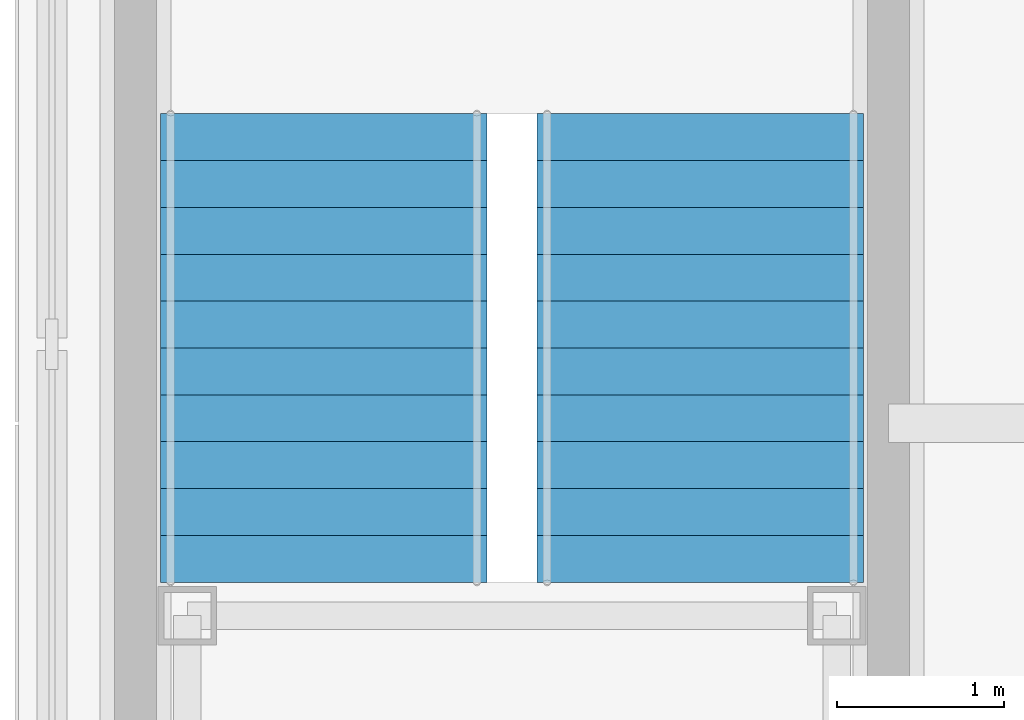
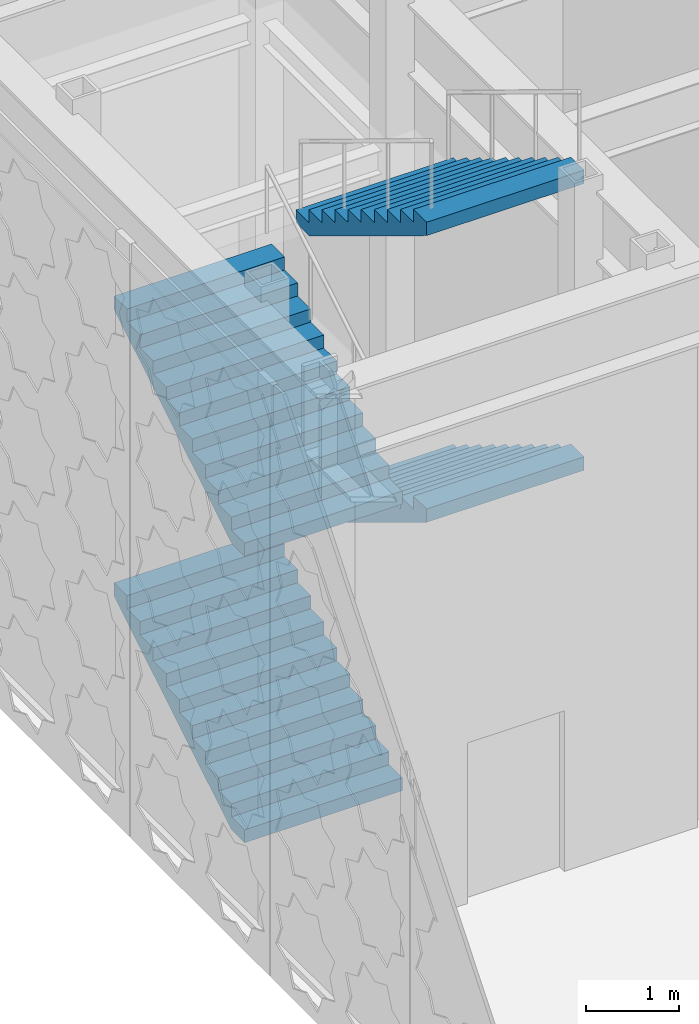
# One storey, part 21 of 34: 4 stair flights, 1 element without a shape of its own.
"""IFC4 building model written with IfcOpenShell, lengths in metres."""

from ifc_helpers import new_model, si_unit, direction, frame, origin, place, context, subcontext, project, spatial, faceted_brep, material, type_object, element, aggregate, save


model = new_model("IFC4")

# Units and contexts
model_context = context("Model", 3, precision=1e-05, world=origin(), true_north=direction((0.0, 1.0)))
body_context = subcontext(model_context, "Body", "Model", "MODEL_VIEW")
ifc_project = project(units=[si_unit("LENGTHUNIT", "METRE"), si_unit("AREAUNIT", "SQUARE_METRE"), si_unit("VOLUMEUNIT", "CUBIC_METRE"), si_unit("PLANEANGLEUNIT", "RADIAN"), si_unit("MASSUNIT", "GRAM", prefix="KILO")], contexts=[model_context])

# Site, building, storey
site_placement = place(None, origin())
site = spatial("IfcSite", under=ifc_project, at=site_placement, CompositionType="ELEMENT")
building_placement = place(site_placement, origin())
building = spatial("IfcBuilding", under=site, at=building_placement, Name="Chuquiago Exchange Tower", CompositionType="ELEMENT")
storey_placement = place(building_placement, frame((0.0, 0.0, 6.0)))
storey = spatial("IfcBuildingStorey", under=building, at=storey_placement, Name="L01", CompositionType="ELEMENT", Elevation=6.0)

# Stair, stair flights
ifc_material_1 = material(Name="Concrete C30/37, precast", Category="concrete")
stair_type = type_object("IfcStairType", Name="PS3 double half-turn stair 7500", PredefinedType="DOUBLE_RETURN_STAIR", material=ifc_material_1)
stair_placement = place(storey_placement, origin())
stair = element("IfcStair", 1, at=stair_placement, inside=storey, type_object=stair_type, Name="Stair PS3 L01", PredefinedType="DOUBLE_RETURN_STAIR")
ifc_material_2 = material(Name="Concrete C30/37, precast", Category="concrete")
stair_flight_type = type_object("IfcStairFlightType", Name="ST-F flight 1950 for 7500 storey", PredefinedType="STRAIGHT", material=ifc_material_2)
stair_flight_1_placement = place(storey_placement, frame((-7.875, 38.050048828125, 0.0), z_axis=(0.0, 0.0, 1.0), x_axis=(0.0, 1.0, 0.0)))
stair_flight_1 = element("IfcStairFlight", 2, at=stair_flight_1_placement, type_object=stair_flight_type, Name="PS3 flight 1", NumberOfRisers=11, NumberOfTreads=10, PredefinedType="STRAIGHT", RiserHeight=0.170454545, TreadLength=0.28, context=body_context, shape_type="Brep", body=[
    faceted_brep([(0.0, 0.97509765625, 0.0), (0.0, 0.97509765625, 0.17041015625), (0.280029296875, 0.97509765625, 0.17041015625), (0.280029296875, 0.97509765625, 0.3408203125), (0.56005859375, 0.97509765625, 0.3408203125), (0.56005859375, 0.97509765625, 0.511474609375), (0.840087890625, 0.97509765625, 0.511474609375), (0.840087890625, 0.97509765625, 0.681884765625), (1.1201171875, 0.97509765625, 0.681884765625), (1.1201171875, 0.97509765625, 0.852294921875), (1.39990234375, 0.97509765625, 0.852294921875), (1.39990234375, 0.97509765625, 1.022705078125), (1.679931640625, 0.97509765625, 1.022705078125), (1.679931640625, 0.97509765625, 1.193115234375), (1.9599609375, 0.97509765625, 1.193115234375), (1.9599609375, 0.97509765625, 1.363525390625), (2.239990234375, 0.97509765625, 1.363525390625), (2.239990234375, 0.97509765625, 1.5341796875), (2.52001953125, 0.97509765625, 1.5341796875), (2.52001953125, 0.97509765625, 1.70458984375), (2.800048828125, 0.97509765625, 1.70458984375), (2.800048828125, 0.97509765625, 1.529052734375), (0.288330078125, 0.97509765625, 0.0), (0.288330078125, -0.97509765625, 0.0), (2.800048828125, -0.97509765625, 1.529052734375), (2.800048828125, -0.97509765625, 1.70458984375), (2.52001953125, -0.97509765625, 1.70458984375), (2.52001953125, -0.97509765625, 1.5341796875), (2.239990234375, -0.97509765625, 1.5341796875), (2.239990234375, -0.97509765625, 1.363525390625), (1.9599609375, -0.97509765625, 1.363525390625), (1.9599609375, -0.97509765625, 1.193115234375), (1.679931640625, -0.97509765625, 1.193115234375), (1.679931640625, -0.97509765625, 1.022705078125), (1.39990234375, -0.97509765625, 1.022705078125), (1.39990234375, -0.97509765625, 0.852294921875), (1.1201171875, -0.97509765625, 0.852294921875), (1.1201171875, -0.97509765625, 0.681884765625), (0.840087890625, -0.97509765625, 0.681884765625), (0.840087890625, -0.97509765625, 0.511474609375), (0.56005859375, -0.97509765625, 0.511474609375), (0.56005859375, -0.97509765625, 0.3408203125), (0.280029296875, -0.97509765625, 0.3408203125), (0.280029296875, -0.97509765625, 0.17041015625), (0.0, -0.97509765625, 0.17041015625), (0.0, -0.97509765625, 0.0), (0.0, 0.487548828125, 0.0), (0.0, 0.487548828125, 0.17041015625), (0.0, 0.0, 0.0), (0.0, 0.0, 0.17041015625), (0.0, -0.487548828125, 0.0), (0.0, -0.487548828125, 0.17041015625), (0.280029296875, 0.487548828125, 0.17041015625), (0.280029296875, 0.0, 0.17041015625), (0.280029296875, -0.487548828125, 0.17041015625), (0.280029296875, 0.487548828125, 0.3408203125), (0.280029296875, 0.0, 0.3408203125), (0.280029296875, -0.487548828125, 0.3408203125), (0.56005859375, 0.487548828125, 0.3408203125), (0.56005859375, 0.0, 0.3408203125), (0.56005859375, -0.487548828125, 0.3408203125), (0.56005859375, 0.487548828125, 0.511474609375), (0.56005859375, 0.0, 0.511474609375), (0.56005859375, -0.487548828125, 0.511474609375), (0.840087890625, 0.487548828125, 0.511474609375), (0.840087890625, 0.0, 0.511474609375), (0.840087890625, -0.487548828125, 0.511474609375), (0.840087890625, 0.487548828125, 0.681884765625), (0.840087890625, 0.0, 0.681884765625), (0.840087890625, -0.487548828125, 0.681884765625), (1.1201171875, 0.487548828125, 0.681884765625), (1.1201171875, 0.0, 0.681884765625), (1.1201171875, -0.487548828125, 0.681884765625), (1.1201171875, 0.487548828125, 0.852294921875), (1.1201171875, 0.0, 0.852294921875), (1.1201171875, -0.487548828125, 0.852294921875), (1.39990234375, 0.487548828125, 0.852294921875), (1.39990234375, 0.0, 0.852294921875), (1.39990234375, -0.487548828125, 0.852294921875), (1.39990234375, 0.487548828125, 1.022705078125), (1.39990234375, 0.0, 1.022705078125), (1.39990234375, -0.487548828125, 1.022705078125), (1.679931640625, 0.487548828125, 1.022705078125), (1.679931640625, 0.0, 1.022705078125), (1.679931640625, -0.487548828125, 1.022705078125), (1.679931640625, 0.487548828125, 1.193115234375), (1.679931640625, 0.0, 1.193115234375), (1.679931640625, -0.487548828125, 1.193115234375), (1.9599609375, 0.487548828125, 1.193115234375), (1.9599609375, 0.0, 1.193115234375), (1.9599609375, -0.487548828125, 1.193115234375), (1.9599609375, 0.487548828125, 1.363525390625), (1.9599609375, 0.0, 1.363525390625), (1.9599609375, -0.487548828125, 1.363525390625), (2.239990234375, 0.487548828125, 1.363525390625), (2.239990234375, 0.0, 1.363525390625), (2.239990234375, -0.487548828125, 1.363525390625), (2.239990234375, 0.487548828125, 1.5341796875), (2.239990234375, 0.0, 1.5341796875), (2.239990234375, -0.487548828125, 1.5341796875), (2.52001953125, 0.487548828125, 1.5341796875), (2.52001953125, 0.0, 1.5341796875), (2.52001953125, -0.487548828125, 1.5341796875), (2.52001953125, 0.487548828125, 1.70458984375), (2.52001953125, 0.0, 1.70458984375), (2.52001953125, -0.487548828125, 1.70458984375), (2.800048828125, 0.487548828125, 1.70458984375), (2.800048828125, 0.0, 1.70458984375), (2.800048828125, -0.487548828125, 1.70458984375), (2.800048828125, 0.487548828125, 1.529052734375), (2.800048828125, 0.0, 1.529052734375), (2.800048828125, -0.487548828125, 1.529052734375), (0.288330078125, 0.487548828125, 0.0), (0.288330078125, 0.0, 0.0), (0.288330078125, -0.487548828125, 0.0)], [[[0, 1, 2, 3, 4, 5, 6, 7, 8, 9, 10, 11, 12, 13, 14, 15, 16, 17, 18, 19, 20, 21, 22]], [[23, 24, 25, 26, 27, 28, 29, 30, 31, 32, 33, 34, 35, 36, 37, 38, 39, 40, 41, 42, 43, 44, 45]], [[1, 0, 46, 47]], [[47, 46, 48, 49]], [[49, 48, 50, 51]], [[51, 50, 45, 44]], [[2, 1, 47, 52]], [[52, 47, 49, 53]], [[53, 49, 51, 54]], [[54, 51, 44, 43]], [[3, 2, 52, 55]], [[55, 52, 53, 56]], [[56, 53, 54, 57]], [[57, 54, 43, 42]], [[4, 3, 55, 58]], [[58, 55, 56, 59]], [[59, 56, 57, 60]], [[60, 57, 42, 41]], [[5, 4, 58, 61]], [[61, 58, 59, 62]], [[62, 59, 60, 63]], [[63, 60, 41, 40]], [[6, 5, 61, 64]], [[64, 61, 62, 65]], [[65, 62, 63, 66]], [[66, 63, 40, 39]], [[7, 6, 64, 67]], [[67, 64, 65, 68]], [[68, 65, 66, 69]], [[69, 66, 39, 38]], [[8, 7, 67, 70]], [[70, 67, 68, 71]], [[71, 68, 69, 72]], [[72, 69, 38, 37]], [[9, 8, 70, 73]], [[73, 70, 71, 74]], [[74, 71, 72, 75]], [[75, 72, 37, 36]], [[10, 9, 73, 76]], [[76, 73, 74, 77]], [[77, 74, 75, 78]], [[78, 75, 36, 35]], [[11, 10, 76, 79]], [[79, 76, 77, 80]], [[80, 77, 78, 81]], [[81, 78, 35, 34]], [[12, 11, 79, 82]], [[82, 79, 80, 83]], [[83, 80, 81, 84]], [[84, 81, 34, 33]], [[13, 12, 82, 85]], [[85, 82, 83, 86]], [[86, 83, 84, 87]], [[87, 84, 33, 32]], [[14, 13, 85, 88]], [[88, 85, 86, 89]], [[89, 86, 87, 90]], [[90, 87, 32, 31]], [[15, 14, 88, 91]], [[91, 88, 89, 92]], [[92, 89, 90, 93]], [[93, 90, 31, 30]], [[16, 15, 91, 94]], [[94, 91, 92, 95]], [[95, 92, 93, 96]], [[96, 93, 30, 29]], [[17, 16, 94, 97]], [[97, 94, 95, 98]], [[98, 95, 96, 99]], [[99, 96, 29, 28]], [[18, 17, 97, 100]], [[100, 97, 98, 101]], [[101, 98, 99, 102]], [[102, 99, 28, 27]], [[19, 18, 100, 103]], [[103, 100, 101, 104]], [[104, 101, 102, 105]], [[105, 102, 27, 26]], [[20, 19, 103, 106]], [[106, 103, 104, 107]], [[107, 104, 105, 108]], [[108, 105, 26, 25]], [[21, 20, 106, 109]], [[109, 106, 107, 110]], [[110, 107, 108, 111]], [[111, 108, 25, 24]], [[22, 21, 109, 112]], [[112, 109, 110, 113]], [[113, 110, 111, 114]], [[114, 111, 24, 23]], [[0, 22, 112, 46]], [[46, 112, 113, 48]], [[48, 113, 114, 50]], [[50, 114, 23, 45]]]),
])
stair_flight_2_placement = place(storey_placement, frame((-5.625, 40.85009765625, 1.875), z_axis=(0.0, 0.0, 1.0), x_axis=(0.0, -1.0, 0.0)))
stair_flight_2 = element("IfcStairFlight", 3, at=stair_flight_2_placement, type_object=stair_flight_type, Name="PS3 flight 2", NumberOfRisers=11, NumberOfTreads=10, PredefinedType="STRAIGHT", RiserHeight=0.170454545, TreadLength=0.28, context=body_context, shape_type="Brep", body=[
    faceted_brep([(0.0, 0.97509765625, 0.0), (0.0, 0.97509765625, 0.17041015625), (0.280029296875, 0.97509765625, 0.17041015625), (0.280029296875, 0.97509765625, 0.3408203125), (0.56005859375, 0.97509765625, 0.3408203125), (0.56005859375, 0.97509765625, 0.511474609375), (0.840087890625, 0.97509765625, 0.511474609375), (0.840087890625, 0.97509765625, 0.681884765625), (1.1201171875, 0.97509765625, 0.681884765625), (1.1201171875, 0.97509765625, 0.852294921875), (1.39990234375, 0.97509765625, 0.852294921875), (1.39990234375, 0.97509765625, 1.022705078125), (1.679931640625, 0.97509765625, 1.022705078125), (1.679931640625, 0.97509765625, 1.193115234375), (1.9599609375, 0.97509765625, 1.193115234375), (1.9599609375, 0.97509765625, 1.363525390625), (2.239990234375, 0.97509765625, 1.363525390625), (2.239990234375, 0.97509765625, 1.5341796875), (2.52001953125, 0.97509765625, 1.5341796875), (2.52001953125, 0.97509765625, 1.70458984375), (2.800048828125, 0.97509765625, 1.70458984375), (2.800048828125, 0.97509765625, 1.529052734375), (0.288330078125, 0.97509765625, 0.0), (0.288330078125, -0.97509765625, 0.0), (2.800048828125, -0.97509765625, 1.529052734375), (2.800048828125, -0.97509765625, 1.70458984375), (2.52001953125, -0.97509765625, 1.70458984375), (2.52001953125, -0.97509765625, 1.5341796875), (2.239990234375, -0.97509765625, 1.5341796875), (2.239990234375, -0.97509765625, 1.363525390625), (1.9599609375, -0.97509765625, 1.363525390625), (1.9599609375, -0.97509765625, 1.193115234375), (1.679931640625, -0.97509765625, 1.193115234375), (1.679931640625, -0.97509765625, 1.022705078125), (1.39990234375, -0.97509765625, 1.022705078125), (1.39990234375, -0.97509765625, 0.852294921875), (1.1201171875, -0.97509765625, 0.852294921875), (1.1201171875, -0.97509765625, 0.681884765625), (0.840087890625, -0.97509765625, 0.681884765625), (0.840087890625, -0.97509765625, 0.511474609375), (0.56005859375, -0.97509765625, 0.511474609375), (0.56005859375, -0.97509765625, 0.3408203125), (0.280029296875, -0.97509765625, 0.3408203125), (0.280029296875, -0.97509765625, 0.17041015625), (0.0, -0.97509765625, 0.17041015625), (0.0, -0.97509765625, 0.0), (0.0, 0.487548828125, 0.0), (0.0, 0.487548828125, 0.17041015625), (0.0, 0.0, 0.0), (0.0, 0.0, 0.17041015625), (0.0, -0.487548828125, 0.0), (0.0, -0.487548828125, 0.17041015625), (0.280029296875, 0.487548828125, 0.17041015625), (0.280029296875, 0.0, 0.17041015625), (0.280029296875, -0.487548828125, 0.17041015625), (0.280029296875, 0.487548828125, 0.3408203125), (0.280029296875, 0.0, 0.3408203125), (0.280029296875, -0.487548828125, 0.3408203125), (0.56005859375, 0.487548828125, 0.3408203125), (0.56005859375, 0.0, 0.3408203125), (0.56005859375, -0.487548828125, 0.3408203125), (0.56005859375, 0.487548828125, 0.511474609375), (0.56005859375, 0.0, 0.511474609375), (0.56005859375, -0.487548828125, 0.511474609375), (0.840087890625, 0.487548828125, 0.511474609375), (0.840087890625, 0.0, 0.511474609375), (0.840087890625, -0.487548828125, 0.511474609375), (0.840087890625, 0.487548828125, 0.681884765625), (0.840087890625, 0.0, 0.681884765625), (0.840087890625, -0.487548828125, 0.681884765625), (1.1201171875, 0.487548828125, 0.681884765625), (1.1201171875, 0.0, 0.681884765625), (1.1201171875, -0.487548828125, 0.681884765625), (1.1201171875, 0.487548828125, 0.852294921875), (1.1201171875, 0.0, 0.852294921875), (1.1201171875, -0.487548828125, 0.852294921875), (1.39990234375, 0.487548828125, 0.852294921875), (1.39990234375, 0.0, 0.852294921875), (1.39990234375, -0.487548828125, 0.852294921875), (1.39990234375, 0.487548828125, 1.022705078125), (1.39990234375, 0.0, 1.022705078125), (1.39990234375, -0.487548828125, 1.022705078125), (1.679931640625, 0.487548828125, 1.022705078125), (1.679931640625, 0.0, 1.022705078125), (1.679931640625, -0.487548828125, 1.022705078125), (1.679931640625, 0.487548828125, 1.193115234375), (1.679931640625, 0.0, 1.193115234375), (1.679931640625, -0.487548828125, 1.193115234375), (1.9599609375, 0.487548828125, 1.193115234375), (1.9599609375, 0.0, 1.193115234375), (1.9599609375, -0.487548828125, 1.193115234375), (1.9599609375, 0.487548828125, 1.363525390625), (1.9599609375, 0.0, 1.363525390625), (1.9599609375, -0.487548828125, 1.363525390625), (2.239990234375, 0.487548828125, 1.363525390625), (2.239990234375, 0.0, 1.363525390625), (2.239990234375, -0.487548828125, 1.363525390625), (2.239990234375, 0.487548828125, 1.5341796875), (2.239990234375, 0.0, 1.5341796875), (2.239990234375, -0.487548828125, 1.5341796875), (2.52001953125, 0.487548828125, 1.5341796875), (2.52001953125, 0.0, 1.5341796875), (2.52001953125, -0.487548828125, 1.5341796875), (2.52001953125, 0.487548828125, 1.70458984375), (2.52001953125, 0.0, 1.70458984375), (2.52001953125, -0.487548828125, 1.70458984375), (2.800048828125, 0.487548828125, 1.70458984375), (2.800048828125, 0.0, 1.70458984375), (2.800048828125, -0.487548828125, 1.70458984375), (2.800048828125, 0.487548828125, 1.529052734375), (2.800048828125, 0.0, 1.529052734375), (2.800048828125, -0.487548828125, 1.529052734375), (0.288330078125, 0.487548828125, 0.0), (0.288330078125, 0.0, 0.0), (0.288330078125, -0.487548828125, 0.0)], [[[0, 1, 2, 3, 4, 5, 6, 7, 8, 9, 10, 11, 12, 13, 14, 15, 16, 17, 18, 19, 20, 21, 22]], [[23, 24, 25, 26, 27, 28, 29, 30, 31, 32, 33, 34, 35, 36, 37, 38, 39, 40, 41, 42, 43, 44, 45]], [[1, 0, 46, 47]], [[47, 46, 48, 49]], [[49, 48, 50, 51]], [[51, 50, 45, 44]], [[2, 1, 47, 52]], [[52, 47, 49, 53]], [[53, 49, 51, 54]], [[54, 51, 44, 43]], [[3, 2, 52, 55]], [[55, 52, 53, 56]], [[56, 53, 54, 57]], [[57, 54, 43, 42]], [[4, 3, 55, 58]], [[58, 55, 56, 59]], [[59, 56, 57, 60]], [[60, 57, 42, 41]], [[5, 4, 58, 61]], [[61, 58, 59, 62]], [[62, 59, 60, 63]], [[63, 60, 41, 40]], [[6, 5, 61, 64]], [[64, 61, 62, 65]], [[65, 62, 63, 66]], [[66, 63, 40, 39]], [[7, 6, 64, 67]], [[67, 64, 65, 68]], [[68, 65, 66, 69]], [[69, 66, 39, 38]], [[8, 7, 67, 70]], [[70, 67, 68, 71]], [[71, 68, 69, 72]], [[72, 69, 38, 37]], [[9, 8, 70, 73]], [[73, 70, 71, 74]], [[74, 71, 72, 75]], [[75, 72, 37, 36]], [[10, 9, 73, 76]], [[76, 73, 74, 77]], [[77, 74, 75, 78]], [[78, 75, 36, 35]], [[11, 10, 76, 79]], [[79, 76, 77, 80]], [[80, 77, 78, 81]], [[81, 78, 35, 34]], [[12, 11, 79, 82]], [[82, 79, 80, 83]], [[83, 80, 81, 84]], [[84, 81, 34, 33]], [[13, 12, 82, 85]], [[85, 82, 83, 86]], [[86, 83, 84, 87]], [[87, 84, 33, 32]], [[14, 13, 85, 88]], [[88, 85, 86, 89]], [[89, 86, 87, 90]], [[90, 87, 32, 31]], [[15, 14, 88, 91]], [[91, 88, 89, 92]], [[92, 89, 90, 93]], [[93, 90, 31, 30]], [[16, 15, 91, 94]], [[94, 91, 92, 95]], [[95, 92, 93, 96]], [[96, 93, 30, 29]], [[17, 16, 94, 97]], [[97, 94, 95, 98]], [[98, 95, 96, 99]], [[99, 96, 29, 28]], [[18, 17, 97, 100]], [[100, 97, 98, 101]], [[101, 98, 99, 102]], [[102, 99, 28, 27]], [[19, 18, 100, 103]], [[103, 100, 101, 104]], [[104, 101, 102, 105]], [[105, 102, 27, 26]], [[20, 19, 103, 106]], [[106, 103, 104, 107]], [[107, 104, 105, 108]], [[108, 105, 26, 25]], [[21, 20, 106, 109]], [[109, 106, 107, 110]], [[110, 107, 108, 111]], [[111, 108, 25, 24]], [[22, 21, 109, 112]], [[112, 109, 110, 113]], [[113, 110, 111, 114]], [[114, 111, 24, 23]], [[0, 22, 112, 46]], [[46, 112, 113, 48]], [[48, 113, 114, 50]], [[50, 114, 23, 45]]]),
])
stair_flight_3_placement = place(storey_placement, frame((-7.875, 38.050048828125, 3.75), z_axis=(0.0, 0.0, 1.0), x_axis=(0.0, 1.0, 0.0)))
stair_flight_3 = element("IfcStairFlight", 4, at=stair_flight_3_placement, type_object=stair_flight_type, Name="PS3 flight 3", NumberOfRisers=11, NumberOfTreads=10, PredefinedType="STRAIGHT", RiserHeight=0.170454545, TreadLength=0.28, context=body_context, shape_type="Brep", body=[
    faceted_brep([(0.0, 0.97509765625, 0.0), (0.0, 0.97509765625, 0.17041015625), (0.280029296875, 0.97509765625, 0.17041015625), (0.280029296875, 0.97509765625, 0.3408203125), (0.56005859375, 0.97509765625, 0.3408203125), (0.56005859375, 0.97509765625, 0.511474609375), (0.840087890625, 0.97509765625, 0.511474609375), (0.840087890625, 0.97509765625, 0.681884765625), (1.1201171875, 0.97509765625, 0.681884765625), (1.1201171875, 0.97509765625, 0.852294921875), (1.39990234375, 0.97509765625, 0.852294921875), (1.39990234375, 0.97509765625, 1.022705078125), (1.679931640625, 0.97509765625, 1.022705078125), (1.679931640625, 0.97509765625, 1.193115234375), (1.9599609375, 0.97509765625, 1.193115234375), (1.9599609375, 0.97509765625, 1.363525390625), (2.239990234375, 0.97509765625, 1.363525390625), (2.239990234375, 0.97509765625, 1.5341796875), (2.52001953125, 0.97509765625, 1.5341796875), (2.52001953125, 0.97509765625, 1.70458984375), (2.800048828125, 0.97509765625, 1.70458984375), (2.800048828125, 0.97509765625, 1.529052734375), (0.288330078125, 0.97509765625, 0.0), (0.288330078125, -0.97509765625, 0.0), (2.800048828125, -0.97509765625, 1.529052734375), (2.800048828125, -0.97509765625, 1.70458984375), (2.52001953125, -0.97509765625, 1.70458984375), (2.52001953125, -0.97509765625, 1.5341796875), (2.239990234375, -0.97509765625, 1.5341796875), (2.239990234375, -0.97509765625, 1.363525390625), (1.9599609375, -0.97509765625, 1.363525390625), (1.9599609375, -0.97509765625, 1.193115234375), (1.679931640625, -0.97509765625, 1.193115234375), (1.679931640625, -0.97509765625, 1.022705078125), (1.39990234375, -0.97509765625, 1.022705078125), (1.39990234375, -0.97509765625, 0.852294921875), (1.1201171875, -0.97509765625, 0.852294921875), (1.1201171875, -0.97509765625, 0.681884765625), (0.840087890625, -0.97509765625, 0.681884765625), (0.840087890625, -0.97509765625, 0.511474609375), (0.56005859375, -0.97509765625, 0.511474609375), (0.56005859375, -0.97509765625, 0.3408203125), (0.280029296875, -0.97509765625, 0.3408203125), (0.280029296875, -0.97509765625, 0.17041015625), (0.0, -0.97509765625, 0.17041015625), (0.0, -0.97509765625, 0.0), (0.0, 0.487548828125, 0.0), (0.0, 0.487548828125, 0.17041015625), (0.0, 0.0, 0.0), (0.0, 0.0, 0.17041015625), (0.0, -0.487548828125, 0.0), (0.0, -0.487548828125, 0.17041015625), (0.280029296875, 0.487548828125, 0.17041015625), (0.280029296875, 0.0, 0.17041015625), (0.280029296875, -0.487548828125, 0.17041015625), (0.280029296875, 0.487548828125, 0.3408203125), (0.280029296875, 0.0, 0.3408203125), (0.280029296875, -0.487548828125, 0.3408203125), (0.56005859375, 0.487548828125, 0.3408203125), (0.56005859375, 0.0, 0.3408203125), (0.56005859375, -0.487548828125, 0.3408203125), (0.56005859375, 0.487548828125, 0.511474609375), (0.56005859375, 0.0, 0.511474609375), (0.56005859375, -0.487548828125, 0.511474609375), (0.840087890625, 0.487548828125, 0.511474609375), (0.840087890625, 0.0, 0.511474609375), (0.840087890625, -0.487548828125, 0.511474609375), (0.840087890625, 0.487548828125, 0.681884765625), (0.840087890625, 0.0, 0.681884765625), (0.840087890625, -0.487548828125, 0.681884765625), (1.1201171875, 0.487548828125, 0.681884765625), (1.1201171875, 0.0, 0.681884765625), (1.1201171875, -0.487548828125, 0.681884765625), (1.1201171875, 0.487548828125, 0.852294921875), (1.1201171875, 0.0, 0.852294921875), (1.1201171875, -0.487548828125, 0.852294921875), (1.39990234375, 0.487548828125, 0.852294921875), (1.39990234375, 0.0, 0.852294921875), (1.39990234375, -0.487548828125, 0.852294921875), (1.39990234375, 0.487548828125, 1.022705078125), (1.39990234375, 0.0, 1.022705078125), (1.39990234375, -0.487548828125, 1.022705078125), (1.679931640625, 0.487548828125, 1.022705078125), (1.679931640625, 0.0, 1.022705078125), (1.679931640625, -0.487548828125, 1.022705078125), (1.679931640625, 0.487548828125, 1.193115234375), (1.679931640625, 0.0, 1.193115234375), (1.679931640625, -0.487548828125, 1.193115234375), (1.9599609375, 0.487548828125, 1.193115234375), (1.9599609375, 0.0, 1.193115234375), (1.9599609375, -0.487548828125, 1.193115234375), (1.9599609375, 0.487548828125, 1.363525390625), (1.9599609375, 0.0, 1.363525390625), (1.9599609375, -0.487548828125, 1.363525390625), (2.239990234375, 0.487548828125, 1.363525390625), (2.239990234375, 0.0, 1.363525390625), (2.239990234375, -0.487548828125, 1.363525390625), (2.239990234375, 0.487548828125, 1.5341796875), (2.239990234375, 0.0, 1.5341796875), (2.239990234375, -0.487548828125, 1.5341796875), (2.52001953125, 0.487548828125, 1.5341796875), (2.52001953125, 0.0, 1.5341796875), (2.52001953125, -0.487548828125, 1.5341796875), (2.52001953125, 0.487548828125, 1.70458984375), (2.52001953125, 0.0, 1.70458984375), (2.52001953125, -0.487548828125, 1.70458984375), (2.800048828125, 0.487548828125, 1.70458984375), (2.800048828125, 0.0, 1.70458984375), (2.800048828125, -0.487548828125, 1.70458984375), (2.800048828125, 0.487548828125, 1.529052734375), (2.800048828125, 0.0, 1.529052734375), (2.800048828125, -0.487548828125, 1.529052734375), (0.288330078125, 0.487548828125, 0.0), (0.288330078125, 0.0, 0.0), (0.288330078125, -0.487548828125, 0.0)], [[[0, 1, 2, 3, 4, 5, 6, 7, 8, 9, 10, 11, 12, 13, 14, 15, 16, 17, 18, 19, 20, 21, 22]], [[23, 24, 25, 26, 27, 28, 29, 30, 31, 32, 33, 34, 35, 36, 37, 38, 39, 40, 41, 42, 43, 44, 45]], [[1, 0, 46, 47]], [[47, 46, 48, 49]], [[49, 48, 50, 51]], [[51, 50, 45, 44]], [[2, 1, 47, 52]], [[52, 47, 49, 53]], [[53, 49, 51, 54]], [[54, 51, 44, 43]], [[3, 2, 52, 55]], [[55, 52, 53, 56]], [[56, 53, 54, 57]], [[57, 54, 43, 42]], [[4, 3, 55, 58]], [[58, 55, 56, 59]], [[59, 56, 57, 60]], [[60, 57, 42, 41]], [[5, 4, 58, 61]], [[61, 58, 59, 62]], [[62, 59, 60, 63]], [[63, 60, 41, 40]], [[6, 5, 61, 64]], [[64, 61, 62, 65]], [[65, 62, 63, 66]], [[66, 63, 40, 39]], [[7, 6, 64, 67]], [[67, 64, 65, 68]], [[68, 65, 66, 69]], [[69, 66, 39, 38]], [[8, 7, 67, 70]], [[70, 67, 68, 71]], [[71, 68, 69, 72]], [[72, 69, 38, 37]], [[9, 8, 70, 73]], [[73, 70, 71, 74]], [[74, 71, 72, 75]], [[75, 72, 37, 36]], [[10, 9, 73, 76]], [[76, 73, 74, 77]], [[77, 74, 75, 78]], [[78, 75, 36, 35]], [[11, 10, 76, 79]], [[79, 76, 77, 80]], [[80, 77, 78, 81]], [[81, 78, 35, 34]], [[12, 11, 79, 82]], [[82, 79, 80, 83]], [[83, 80, 81, 84]], [[84, 81, 34, 33]], [[13, 12, 82, 85]], [[85, 82, 83, 86]], [[86, 83, 84, 87]], [[87, 84, 33, 32]], [[14, 13, 85, 88]], [[88, 85, 86, 89]], [[89, 86, 87, 90]], [[90, 87, 32, 31]], [[15, 14, 88, 91]], [[91, 88, 89, 92]], [[92, 89, 90, 93]], [[93, 90, 31, 30]], [[16, 15, 91, 94]], [[94, 91, 92, 95]], [[95, 92, 93, 96]], [[96, 93, 30, 29]], [[17, 16, 94, 97]], [[97, 94, 95, 98]], [[98, 95, 96, 99]], [[99, 96, 29, 28]], [[18, 17, 97, 100]], [[100, 97, 98, 101]], [[101, 98, 99, 102]], [[102, 99, 28, 27]], [[19, 18, 100, 103]], [[103, 100, 101, 104]], [[104, 101, 102, 105]], [[105, 102, 27, 26]], [[20, 19, 103, 106]], [[106, 103, 104, 107]], [[107, 104, 105, 108]], [[108, 105, 26, 25]], [[21, 20, 106, 109]], [[109, 106, 107, 110]], [[110, 107, 108, 111]], [[111, 108, 25, 24]], [[22, 21, 109, 112]], [[112, 109, 110, 113]], [[113, 110, 111, 114]], [[114, 111, 24, 23]], [[0, 22, 112, 46]], [[46, 112, 113, 48]], [[48, 113, 114, 50]], [[50, 114, 23, 45]]]),
])
stair_flight_4_placement = place(storey_placement, frame((-5.625, 40.85009765625, 5.625), z_axis=(0.0, 0.0, 1.0), x_axis=(0.0, -1.0, 0.0)))
stair_flight_4 = element("IfcStairFlight", 5, at=stair_flight_4_placement, type_object=stair_flight_type, Name="PS3 flight 4", NumberOfRisers=11, NumberOfTreads=10, PredefinedType="STRAIGHT", RiserHeight=0.170454545, TreadLength=0.28, context=body_context, shape_type="Brep", body=[
    faceted_brep([(0.0, 0.97509765625, 0.0), (0.0, 0.97509765625, 0.17041015625), (0.280029296875, 0.97509765625, 0.17041015625), (0.280029296875, 0.97509765625, 0.3408203125), (0.56005859375, 0.97509765625, 0.3408203125), (0.56005859375, 0.97509765625, 0.511474609375), (0.840087890625, 0.97509765625, 0.511474609375), (0.840087890625, 0.97509765625, 0.681884765625), (1.1201171875, 0.97509765625, 0.681884765625), (1.1201171875, 0.97509765625, 0.852294921875), (1.39990234375, 0.97509765625, 0.852294921875), (1.39990234375, 0.97509765625, 1.022705078125), (1.679931640625, 0.97509765625, 1.022705078125), (1.679931640625, 0.97509765625, 1.193115234375), (1.9599609375, 0.97509765625, 1.193115234375), (1.9599609375, 0.97509765625, 1.363525390625), (2.239990234375, 0.97509765625, 1.363525390625), (2.239990234375, 0.97509765625, 1.5341796875), (2.52001953125, 0.97509765625, 1.5341796875), (2.52001953125, 0.97509765625, 1.70458984375), (2.800048828125, 0.97509765625, 1.70458984375), (2.800048828125, 0.97509765625, 1.529052734375), (0.288330078125, 0.97509765625, 0.0), (0.288330078125, -0.97509765625, 0.0), (2.800048828125, -0.97509765625, 1.529052734375), (2.800048828125, -0.97509765625, 1.70458984375), (2.52001953125, -0.97509765625, 1.70458984375), (2.52001953125, -0.97509765625, 1.5341796875), (2.239990234375, -0.97509765625, 1.5341796875), (2.239990234375, -0.97509765625, 1.363525390625), (1.9599609375, -0.97509765625, 1.363525390625), (1.9599609375, -0.97509765625, 1.193115234375), (1.679931640625, -0.97509765625, 1.193115234375), (1.679931640625, -0.97509765625, 1.022705078125), (1.39990234375, -0.97509765625, 1.022705078125), (1.39990234375, -0.97509765625, 0.852294921875), (1.1201171875, -0.97509765625, 0.852294921875), (1.1201171875, -0.97509765625, 0.681884765625), (0.840087890625, -0.97509765625, 0.681884765625), (0.840087890625, -0.97509765625, 0.511474609375), (0.56005859375, -0.97509765625, 0.511474609375), (0.56005859375, -0.97509765625, 0.3408203125), (0.280029296875, -0.97509765625, 0.3408203125), (0.280029296875, -0.97509765625, 0.17041015625), (0.0, -0.97509765625, 0.17041015625), (0.0, -0.97509765625, 0.0), (0.0, 0.487548828125, 0.0), (0.0, 0.487548828125, 0.17041015625), (0.0, 0.0, 0.0), (0.0, 0.0, 0.17041015625), (0.0, -0.487548828125, 0.0), (0.0, -0.487548828125, 0.17041015625), (0.280029296875, 0.487548828125, 0.17041015625), (0.280029296875, 0.0, 0.17041015625), (0.280029296875, -0.487548828125, 0.17041015625), (0.280029296875, 0.487548828125, 0.3408203125), (0.280029296875, 0.0, 0.3408203125), (0.280029296875, -0.487548828125, 0.3408203125), (0.56005859375, 0.487548828125, 0.3408203125), (0.56005859375, 0.0, 0.3408203125), (0.56005859375, -0.487548828125, 0.3408203125), (0.56005859375, 0.487548828125, 0.511474609375), (0.56005859375, 0.0, 0.511474609375), (0.56005859375, -0.487548828125, 0.511474609375), (0.840087890625, 0.487548828125, 0.511474609375), (0.840087890625, 0.0, 0.511474609375), (0.840087890625, -0.487548828125, 0.511474609375), (0.840087890625, 0.487548828125, 0.681884765625), (0.840087890625, 0.0, 0.681884765625), (0.840087890625, -0.487548828125, 0.681884765625), (1.1201171875, 0.487548828125, 0.681884765625), (1.1201171875, 0.0, 0.681884765625), (1.1201171875, -0.487548828125, 0.681884765625), (1.1201171875, 0.487548828125, 0.852294921875), (1.1201171875, 0.0, 0.852294921875), (1.1201171875, -0.487548828125, 0.852294921875), (1.39990234375, 0.487548828125, 0.852294921875), (1.39990234375, 0.0, 0.852294921875), (1.39990234375, -0.487548828125, 0.852294921875), (1.39990234375, 0.487548828125, 1.022705078125), (1.39990234375, 0.0, 1.022705078125), (1.39990234375, -0.487548828125, 1.022705078125), (1.679931640625, 0.487548828125, 1.022705078125), (1.679931640625, 0.0, 1.022705078125), (1.679931640625, -0.487548828125, 1.022705078125), (1.679931640625, 0.487548828125, 1.193115234375), (1.679931640625, 0.0, 1.193115234375), (1.679931640625, -0.487548828125, 1.193115234375), (1.9599609375, 0.487548828125, 1.193115234375), (1.9599609375, 0.0, 1.193115234375), (1.9599609375, -0.487548828125, 1.193115234375), (1.9599609375, 0.487548828125, 1.363525390625), (1.9599609375, 0.0, 1.363525390625), (1.9599609375, -0.487548828125, 1.363525390625), (2.239990234375, 0.487548828125, 1.363525390625), (2.239990234375, 0.0, 1.363525390625), (2.239990234375, -0.487548828125, 1.363525390625), (2.239990234375, 0.487548828125, 1.5341796875), (2.239990234375, 0.0, 1.5341796875), (2.239990234375, -0.487548828125, 1.5341796875), (2.52001953125, 0.487548828125, 1.5341796875), (2.52001953125, 0.0, 1.5341796875), (2.52001953125, -0.487548828125, 1.5341796875), (2.52001953125, 0.487548828125, 1.70458984375), (2.52001953125, 0.0, 1.70458984375), (2.52001953125, -0.487548828125, 1.70458984375), (2.800048828125, 0.487548828125, 1.70458984375), (2.800048828125, 0.0, 1.70458984375), (2.800048828125, -0.487548828125, 1.70458984375), (2.800048828125, 0.487548828125, 1.529052734375), (2.800048828125, 0.0, 1.529052734375), (2.800048828125, -0.487548828125, 1.529052734375), (0.288330078125, 0.487548828125, 0.0), (0.288330078125, 0.0, 0.0), (0.288330078125, -0.487548828125, 0.0)], [[[0, 1, 2, 3, 4, 5, 6, 7, 8, 9, 10, 11, 12, 13, 14, 15, 16, 17, 18, 19, 20, 21, 22]], [[23, 24, 25, 26, 27, 28, 29, 30, 31, 32, 33, 34, 35, 36, 37, 38, 39, 40, 41, 42, 43, 44, 45]], [[1, 0, 46, 47]], [[47, 46, 48, 49]], [[49, 48, 50, 51]], [[51, 50, 45, 44]], [[2, 1, 47, 52]], [[52, 47, 49, 53]], [[53, 49, 51, 54]], [[54, 51, 44, 43]], [[3, 2, 52, 55]], [[55, 52, 53, 56]], [[56, 53, 54, 57]], [[57, 54, 43, 42]], [[4, 3, 55, 58]], [[58, 55, 56, 59]], [[59, 56, 57, 60]], [[60, 57, 42, 41]], [[5, 4, 58, 61]], [[61, 58, 59, 62]], [[62, 59, 60, 63]], [[63, 60, 41, 40]], [[6, 5, 61, 64]], [[64, 61, 62, 65]], [[65, 62, 63, 66]], [[66, 63, 40, 39]], [[7, 6, 64, 67]], [[67, 64, 65, 68]], [[68, 65, 66, 69]], [[69, 66, 39, 38]], [[8, 7, 67, 70]], [[70, 67, 68, 71]], [[71, 68, 69, 72]], [[72, 69, 38, 37]], [[9, 8, 70, 73]], [[73, 70, 71, 74]], [[74, 71, 72, 75]], [[75, 72, 37, 36]], [[10, 9, 73, 76]], [[76, 73, 74, 77]], [[77, 74, 75, 78]], [[78, 75, 36, 35]], [[11, 10, 76, 79]], [[79, 76, 77, 80]], [[80, 77, 78, 81]], [[81, 78, 35, 34]], [[12, 11, 79, 82]], [[82, 79, 80, 83]], [[83, 80, 81, 84]], [[84, 81, 34, 33]], [[13, 12, 82, 85]], [[85, 82, 83, 86]], [[86, 83, 84, 87]], [[87, 84, 33, 32]], [[14, 13, 85, 88]], [[88, 85, 86, 89]], [[89, 86, 87, 90]], [[90, 87, 32, 31]], [[15, 14, 88, 91]], [[91, 88, 89, 92]], [[92, 89, 90, 93]], [[93, 90, 31, 30]], [[16, 15, 91, 94]], [[94, 91, 92, 95]], [[95, 92, 93, 96]], [[96, 93, 30, 29]], [[17, 16, 94, 97]], [[97, 94, 95, 98]], [[98, 95, 96, 99]], [[99, 96, 29, 28]], [[18, 17, 97, 100]], [[100, 97, 98, 101]], [[101, 98, 99, 102]], [[102, 99, 28, 27]], [[19, 18, 100, 103]], [[103, 100, 101, 104]], [[104, 101, 102, 105]], [[105, 102, 27, 26]], [[20, 19, 103, 106]], [[106, 103, 104, 107]], [[107, 104, 105, 108]], [[108, 105, 26, 25]], [[21, 20, 106, 109]], [[109, 106, 107, 110]], [[110, 107, 108, 111]], [[111, 108, 25, 24]], [[22, 21, 109, 112]], [[112, 109, 110, 113]], [[113, 110, 111, 114]], [[114, 111, 24, 23]], [[0, 22, 112, 46]], [[46, 112, 113, 48]], [[48, 113, 114, 50]], [[50, 114, 23, 45]]]),
])
aggregate(stair, [stair_flight_1, stair_flight_2, stair_flight_3, stair_flight_4])

save(model, "model.ifc")
